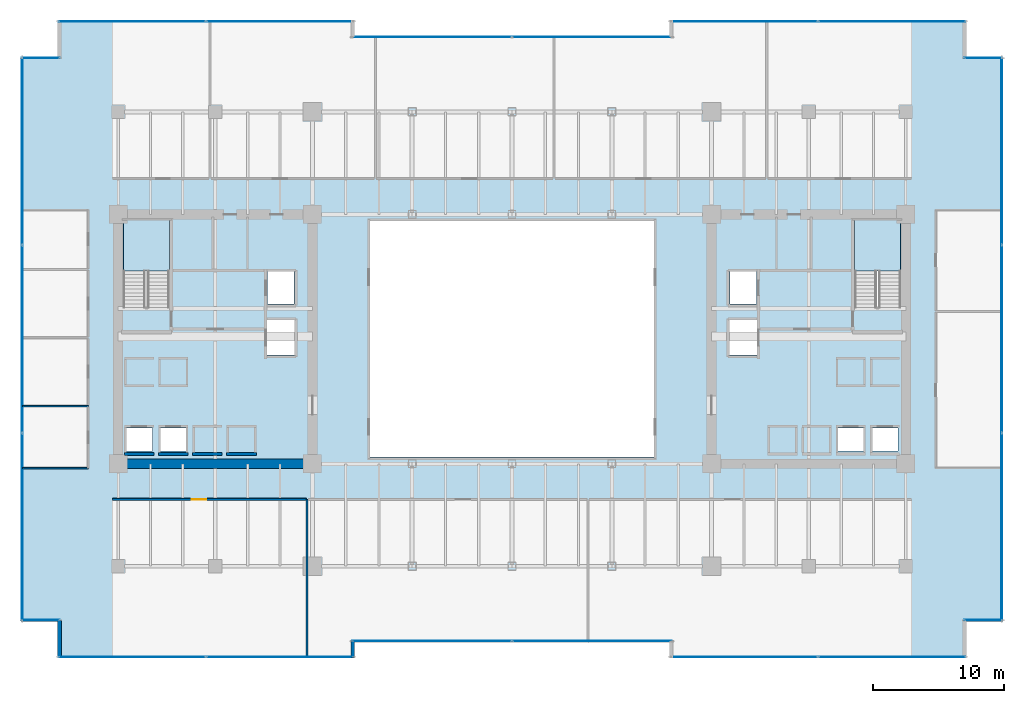
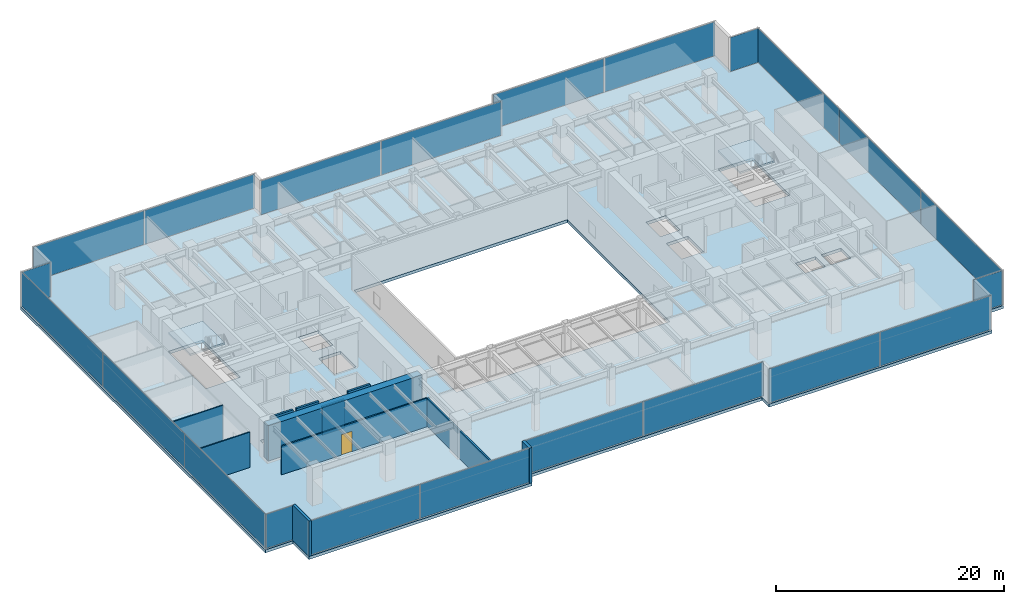
# One storey, part 28 of 36: 22 plates, 11 walls, 3 slabs, 1 door, 1 opening, 14 elements without a shape of their own.
"""IFC4 building model written with IfcOpenShell, lengths in metres."""

from ifc_helpers import new_model, si_unit, direction, frame, frame_2d, origin, origin_2d, place, context, subcontext, project, spatial, polyline, rectangle, outline, extrude, source, transform, mapped, material, layer, layer_set, type_object, type_shapes, element, fill, aggregate, save


model = new_model("IFC4")

# Units and contexts
model_context = context("Model", 3, precision=1e-05, world=origin(), true_north=direction((0.0, 1.0)))
body_context = subcontext(model_context, "Body", "Model", "MODEL_VIEW")
ifc_project = project(units=[si_unit("LENGTHUNIT", "METRE"), si_unit("AREAUNIT", "SQUARE_METRE"), si_unit("VOLUMEUNIT", "CUBIC_METRE"), si_unit("PLANEANGLEUNIT", "RADIAN"), si_unit("MASSUNIT", "GRAM", prefix="KILO")], contexts=[model_context])

# Site, building, storey
site_placement = place(None, origin())
site = spatial("IfcSite", under=ifc_project, at=site_placement, CompositionType="ELEMENT")
building_placement = place(site_placement, origin())
building = spatial("IfcBuilding", under=site, at=building_placement, Name="Haelvirn Gate Laboratories", CompositionType="ELEMENT")
storey_placement = place(building_placement, frame((0.0, 0.0, 53.89990234375)))
storey = spatial("IfcBuildingStorey", under=building, at=storey_placement, Name="L13", CompositionType="ELEMENT", Elevation=53.89990234375)

# Stair, slab
ifc_material_1 = material(Name="Concrete C40/50", Category="concrete")
stair_type = type_object("IfcStairType", Name="ST-DOG-1650-R22", PredefinedType="HALF_TURN_STAIR", material=ifc_material_1)
stair_1_placement = place(storey_placement, origin())
stair_1 = element("IfcStair", 1, at=stair_1_placement, inside=storey, type_object=stair_type, Name="L13 Escape Stair ST1", PredefinedType="HALF_TURN_STAIR")
ifc_layer_1 = layer(ifc_material_1, 0.199951171875, Name="SL-STAIR-LND")
ifc_layer_set_1 = layer_set([ifc_layer_1], Name="Concrete C40/50")
slab_type_1 = type_object("IfcSlabType", Name="SL-STAIR-LND", PredefinedType="LANDING", material=ifc_layer_set_1)
slab_1_placement = place(storey_placement, frame((0.0, 0.0, 1.85009765625)))
slab_1 = element("IfcSlab", 2, at=slab_1_placement, type_object=slab_type_1, Name="ST1 landing 1", PredefinedType="LANDING", context=body_context, shape_type="SweptSolid", body=[
    extrude(outline(polyline([(11.300048828125, 29.5), (11.300048828125, 33.35009765625), (7.800048828125, 33.35009765625), (7.800048828125, 29.5), (11.300048828125, 29.5)])), origin(), (0.0, 0.0, 1.0), 0.199951171875),
])
aggregate(stair_1, [slab_1])

stair_2_placement = place(storey_placement, origin())
stair_2 = element("IfcStair", 3, at=stair_2_placement, inside=storey, type_object=stair_type, Name="L13 Escape Stair ST2", PredefinedType="HALF_TURN_STAIR")
slab_2_placement = place(storey_placement, frame((0.0, 0.0, 1.85009765625)))
slab_2 = element("IfcSlab", 4, at=slab_2_placement, type_object=slab_type_1, Name="ST2 landing 1", PredefinedType="LANDING", context=body_context, shape_type="SweptSolid", body=[
    extrude(outline(polyline([(67.0, 29.5), (67.0, 33.35009765625), (63.5, 33.35009765625), (63.5, 29.5), (67.0, 29.5)])), origin(), (0.0, 0.0, 1.0), 0.199951171875),
])
aggregate(stair_2, [slab_2])

# Slab
ifc_material_2 = material(Name="Concrete C50/60", Category="concrete")
ifc_layer_2 = layer(ifc_material_2, 0.320068359375, Name="SL-Z1-320")
ifc_layer_set_2 = layer_set([ifc_layer_2], Name="Concrete C50/60")
slab_type_2 = type_object("IfcSlabType", Name="SL-Z1-320", PredefinedType="FLOOR", material=ifc_layer_set_2)
slab_3_placement = place(storey_placement, frame((0.0, 0.0, -0.31982421875)))
element("IfcSlab", 5, at=slab_3_placement, inside=storey, type_object=slab_type_2, Name="L13 Structural Slab MAIN", PredefinedType="FLOOR", context=body_context, shape_type="SweptSolid", body=[
    extrude(outline(polyline([(2.800048828125, 0.0), (25.39990234375, 0.0), (25.39990234375, 1.199951171875), (49.39990234375, 1.199951171875), (49.39990234375, 0.0), (72.0, 0.0), (72.0, 2.800048828125), (74.800048828125, 2.800048828125), (74.800048828125, 45.800048828125), (72.0, 45.800048828125), (72.0, 48.60009765625), (49.39990234375, 48.60009765625), (49.39990234375, 47.39990234375), (25.39990234375, 47.39990234375), (25.39990234375, 48.60009765625), (2.800048828125, 48.60009765625), (2.800048828125, 45.800048828125), (0.0, 45.800048828125), (0.0, 2.800048828125), (2.800048828125, 2.800048828125), (2.800048828125, 0.0)]), holes=[polyline([(26.60009765625, 15.300048828125), (48.199951171875, 15.300048828125), (48.199951171875, 33.300048828125), (26.60009765625, 33.300048828125), (26.60009765625, 15.300048828125)]), polyline([(11.300048828125, 26.780029296875), (11.300048828125, 33.35009765625), (7.800048828125, 33.35009765625), (7.800048828125, 26.780029296875), (11.300048828125, 26.780029296875)]), polyline([(67.0, 26.780029296875), (67.0, 33.35009765625), (63.5, 33.35009765625), (63.5, 26.780029296875), (67.0, 26.780029296875)]), polyline([(7.989990234375, 15.77001953125), (10.010009765625, 15.77001953125), (10.010009765625, 17.510009765625), (7.989990234375, 17.510009765625), (7.989990234375, 15.77001953125)]), polyline([(10.590087890625, 15.77001953125), (12.610107421875, 15.77001953125), (12.610107421875, 17.510009765625), (10.590087890625, 17.510009765625), (10.590087890625, 15.77001953125)]), polyline([(18.7900390625, 26.969970703125), (20.81005859375, 26.969970703125), (20.81005859375, 29.510009765625), (18.7900390625, 29.510009765625), (18.7900390625, 26.969970703125)]), polyline([(18.68994140625, 23.070068359375), (20.909912109375, 23.070068359375), (20.909912109375, 25.81005859375), (18.68994140625, 25.81005859375), (18.68994140625, 23.070068359375)]), polyline([(64.7900390625, 15.77001953125), (66.81005859375, 15.77001953125), (66.81005859375, 17.510009765625), (64.7900390625, 17.510009765625), (64.7900390625, 15.77001953125)]), polyline([(62.18994140625, 15.77001953125), (64.2099609375, 15.77001953125), (64.2099609375, 17.510009765625), (62.18994140625, 17.510009765625), (62.18994140625, 15.77001953125)]), polyline([(53.989990234375, 26.969970703125), (56.010009765625, 26.969970703125), (56.010009765625, 29.510009765625), (53.989990234375, 29.510009765625), (53.989990234375, 26.969970703125)]), polyline([(53.889892578125, 23.070068359375), (56.110107421875, 23.070068359375), (56.110107421875, 25.81005859375), (53.889892578125, 25.81005859375), (53.889892578125, 23.070068359375)])]), origin(), (0.0, 0.0, 1.0), 0.31982421875),
])

# Curtain wall, plates
ifc_material_3 = material(Name="Anodised bronze unitised aluminium & triple low-E glass", Category="aluminium")
ifc_layer_3 = layer(ifc_material_3, 0.18408203125, Name="CW-SYS-2")
ifc_layer_set_3 = layer_set([ifc_layer_3], Name="Anodised bronze unitised aluminium & triple low-E glass")
curtain_wall_type_1 = type_object("IfcCurtainWallType", Name="CW-SYS-2", PredefinedType="NOTDEFINED", material=ifc_layer_set_3)
curtain_wall_1_placement = place(storey_placement, origin())
curtain_wall_1 = element("IfcCurtainWall", 6, at=curtain_wall_1_placement, inside=storey, type_object=curtain_wall_type_1, Name="L13 Unitised Curtain Wall CW-L13-P0-E02-1", PredefinedType="NOTDEFINED")
ifc_material_4 = material(Name="Bronze solar-control triple low-E IGU 44 mm", Category="glass")
ifc_layer_4 = layer(ifc_material_4, 0.0439453125, Name="CWP-IGU-44")
ifc_layer_set_4 = layer_set([ifc_layer_4], Name="Bronze solar-control triple low-E IGU 44 mm")
plate_type_1 = type_object("IfcPlateType", Name="CWP-IGU-44", PredefinedType="CURTAIN_PANEL", material=ifc_layer_set_4)
shared_shape_1 = source(origin(), body_context, "Body", "SweptSolid", [
    extrude(rectangle(XDim=12.12744140625, YDim=0.0439453125, at=origin_2d()), origin(), (0.0, 0.0, 1.0), 3.639892578125),
])
plate_1_placement = place(storey_placement, frame((31.298828125, 1.300048828125, 0.0703125), z_axis=(0.0, 0.0, 1.0), x_axis=(1.0, 0.0, 0.0)))
plate_1 = element("IfcPlate", 7, at=plate_1_placement, type_object=plate_type_1, Name="CW2 panel 1.1", PredefinedType="CURTAIN_PANEL", context=body_context, shape_type="MappedRepresentation", body=[
    mapped(shared_shape_1, transform((0.0, 0.0, 0.0), scale=1.0)),
])
plate_2_placement = place(storey_placement, frame((43.501220703125, 1.300048828125, 0.0703125), z_axis=(0.0, 0.0, 1.0), x_axis=(1.0, 0.0, 0.0)))
plate_2 = element("IfcPlate", 8, at=plate_2_placement, type_object=plate_type_1, Name="CW2 panel 2.1", PredefinedType="CURTAIN_PANEL", context=body_context, shape_type="MappedRepresentation", body=[
    mapped(shared_shape_1, transform((0.0, 0.0, 0.0), scale=1.0)),
])
aggregate(curtain_wall_1, [plate_1, plate_2])

curtain_wall_2_placement = place(storey_placement, origin())
curtain_wall_2 = element("IfcCurtainWall", 9, at=curtain_wall_2_placement, inside=storey, type_object=curtain_wall_type_1, Name="L13 Unitised Curtain Wall CW-L13-P0-E12-1", PredefinedType="NOTDEFINED")
plate_3_placement = place(storey_placement, frame((31.298828125, 47.300048828125, 0.0703125), z_axis=(0.0, 0.0, 1.0), x_axis=(1.0, 0.0, 0.0)))
plate_3 = element("IfcPlate", 10, at=plate_3_placement, type_object=plate_type_1, Name="CW2 panel 1.1", PredefinedType="CURTAIN_PANEL", context=body_context, shape_type="MappedRepresentation", body=[
    mapped(shared_shape_1, transform((0.0, 0.0, 0.0), scale=1.0)),
])
plate_4_placement = place(storey_placement, frame((43.501220703125, 47.300048828125, 0.0703125), z_axis=(0.0, 0.0, 1.0), x_axis=(1.0, 0.0, 0.0)))
plate_4 = element("IfcPlate", 11, at=plate_4_placement, type_object=plate_type_1, Name="CW2 panel 2.1", PredefinedType="CURTAIN_PANEL", context=body_context, shape_type="MappedRepresentation", body=[
    mapped(shared_shape_1, transform((0.0, 0.0, 0.0), scale=1.0)),
])
aggregate(curtain_wall_2, [plate_3, plate_4])

curtain_wall_3_placement = place(storey_placement, origin())
curtain_wall_3 = element("IfcCurtainWall", 12, at=curtain_wall_3_placement, inside=storey, type_object=curtain_wall_type_1, Name="L13 Unitised Curtain Wall CW-L13-P0-E00-1", PredefinedType="NOTDEFINED")
shared_shape_2 = source(origin(), body_context, "Body", "SweptSolid", [
    extrude(rectangle(XDim=11.1875, YDim=0.0439453125, at=origin_2d()), origin(), (0.0, 0.0, 1.0), 3.639892578125),
])
plate_5_placement = place(storey_placement, frame((8.46875, 0.10009765625, 0.0703125), z_axis=(0.0, 0.0, 1.0), x_axis=(1.0, 0.0, 0.0)))
plate_5 = element("IfcPlate", 13, at=plate_5_placement, type_object=plate_type_1, Name="CW2 panel 1.1", PredefinedType="CURTAIN_PANEL", context=body_context, shape_type="MappedRepresentation", body=[
    mapped(shared_shape_2, transform((0.0, 0.0, 0.0), scale=1.0)),
])
plate_6_placement = place(storey_placement, frame((19.731201171875, 0.10009765625, 0.0703125), z_axis=(0.0, 0.0, 1.0), x_axis=(1.0, 0.0, 0.0)))
plate_6 = element("IfcPlate", 14, at=plate_6_placement, type_object=plate_type_1, Name="CW2 panel 2.1", PredefinedType="CURTAIN_PANEL", context=body_context, shape_type="MappedRepresentation", body=[
    mapped(shared_shape_2, transform((0.0, 0.0, 0.0), scale=1.0)),
])
aggregate(curtain_wall_3, [plate_5, plate_6])

curtain_wall_4_placement = place(storey_placement, origin())
curtain_wall_4 = element("IfcCurtainWall", 15, at=curtain_wall_4_placement, inside=storey, type_object=curtain_wall_type_1, Name="L13 Unitised Curtain Wall CW-L13-P0-E04-1", PredefinedType="NOTDEFINED")
plate_7_placement = place(storey_placement, frame((55.06884765625, 0.10009765625, 0.0703125), z_axis=(0.0, 0.0, 1.0), x_axis=(1.0, 0.0, 0.0)))
plate_7 = element("IfcPlate", 16, at=plate_7_placement, type_object=plate_type_1, Name="CW2 panel 1.1", PredefinedType="CURTAIN_PANEL", context=body_context, shape_type="MappedRepresentation", body=[
    mapped(shared_shape_2, transform((0.0, 0.0, 0.0), scale=1.0)),
])
plate_8_placement = place(storey_placement, frame((66.331298828125, 0.10009765625, 0.0703125), z_axis=(0.0, 0.0, 1.0), x_axis=(1.0, 0.0, 0.0)))
plate_8 = element("IfcPlate", 17, at=plate_8_placement, type_object=plate_type_1, Name="CW2 panel 2.1", PredefinedType="CURTAIN_PANEL", context=body_context, shape_type="MappedRepresentation", body=[
    mapped(shared_shape_2, transform((0.0, 0.0, 0.0), scale=1.0)),
])
aggregate(curtain_wall_4, [plate_7, plate_8])

curtain_wall_5_placement = place(storey_placement, origin())
curtain_wall_5 = element("IfcCurtainWall", 18, at=curtain_wall_5_placement, inside=storey, type_object=curtain_wall_type_1, Name="L13 Unitised Curtain Wall CW-L13-P0-E10-1", PredefinedType="NOTDEFINED")
plate_9_placement = place(storey_placement, frame((55.06884765625, 48.5, 0.0703125), z_axis=(0.0, 0.0, 1.0), x_axis=(1.0, 0.0, 0.0)))
plate_9 = element("IfcPlate", 19, at=plate_9_placement, type_object=plate_type_1, Name="CW2 panel 1.1", PredefinedType="CURTAIN_PANEL", context=body_context, shape_type="MappedRepresentation", body=[
    mapped(shared_shape_2, transform((0.0, 0.0, 0.0), scale=1.0)),
])
plate_10_placement = place(storey_placement, frame((66.331298828125, 48.5, 0.0703125), z_axis=(0.0, 0.0, 1.0), x_axis=(1.0, 0.0, 0.0)))
plate_10 = element("IfcPlate", 20, at=plate_10_placement, type_object=plate_type_1, Name="CW2 panel 2.1", PredefinedType="CURTAIN_PANEL", context=body_context, shape_type="MappedRepresentation", body=[
    mapped(shared_shape_2, transform((0.0, 0.0, 0.0), scale=1.0)),
])
aggregate(curtain_wall_5, [plate_9, plate_10])

curtain_wall_6_placement = place(storey_placement, origin())
curtain_wall_6 = element("IfcCurtainWall", 21, at=curtain_wall_6_placement, inside=storey, type_object=curtain_wall_type_1, Name="L13 Unitised Curtain Wall CW-L13-P0-E14-1", PredefinedType="NOTDEFINED")
plate_11_placement = place(storey_placement, frame((8.46875, 48.5, 0.0703125), z_axis=(0.0, 0.0, 1.0), x_axis=(1.0, 0.0, 0.0)))
plate_11 = element("IfcPlate", 22, at=plate_11_placement, type_object=plate_type_1, Name="CW2 panel 1.1", PredefinedType="CURTAIN_PANEL", context=body_context, shape_type="MappedRepresentation", body=[
    mapped(shared_shape_2, transform((0.0, 0.0, 0.0), scale=1.0)),
])
plate_12_placement = place(storey_placement, frame((19.731201171875, 48.5, 0.0703125), z_axis=(0.0, 0.0, 1.0), x_axis=(1.0, 0.0, 0.0)))
plate_12 = element("IfcPlate", 23, at=plate_12_placement, type_object=plate_type_1, Name="CW2 panel 2.1", PredefinedType="CURTAIN_PANEL", context=body_context, shape_type="MappedRepresentation", body=[
    mapped(shared_shape_2, transform((0.0, 0.0, 0.0), scale=1.0)),
])
aggregate(curtain_wall_6, [plate_11, plate_12])

# Curtain wall, plate
ifc_layer_5 = layer(ifc_material_3, 0.181884765625, Name="CW-SYS-5")
ifc_layer_set_5 = layer_set([ifc_layer_5], Name="Anodised bronze unitised aluminium & triple low-E glass")
curtain_wall_type_2 = type_object("IfcCurtainWallType", Name="CW-SYS-5", PredefinedType="NOTDEFINED", material=ifc_layer_set_5)
curtain_wall_7_placement = place(storey_placement, origin())
curtain_wall_7 = element("IfcCurtainWall", 24, at=curtain_wall_7_placement, inside=storey, type_object=curtain_wall_type_2, Name="L13 Unitised Curtain Wall CW-L13-P0-E06-1", PredefinedType="NOTDEFINED")
ifc_material_5 = material(Name="Clear low-iron notched-corner triple IGU 42 mm", Category="glass")
ifc_layer_6 = layer(ifc_material_5, 0.0419921875, Name="CWP-NTC-42")
ifc_layer_set_6 = layer_set([ifc_layer_6], Name="Clear low-iron notched-corner triple IGU 42 mm")
plate_type_2 = type_object("IfcPlateType", Name="CWP-NTC-42", PredefinedType="CURTAIN_PANEL", material=ifc_layer_set_6)
shared_shape_3 = source(origin(), body_context, "Body", "SweptSolid", [
    extrude(rectangle(XDim=2.8798828125, YDim=0.0419921875, at=origin_2d()), origin(), (0.0, 0.0, 1.0), 3.64990234375),
])
type_shapes(plate_type_2, [shared_shape_3])
plate_13_placement = place(storey_placement, frame((73.280029296875, 2.89990234375, 0.065185546875), z_axis=(0.0, 0.0, 1.0), x_axis=(1.0, 0.0, 0.0)))
plate_13 = element("IfcPlate", 25, at=plate_13_placement, type_object=plate_type_2, Name="CW5 panel 1.1", PredefinedType="CURTAIN_PANEL", context=body_context, shape_type="MappedRepresentation", body=[
    mapped(shared_shape_3, transform((0.0, 0.0, 0.0), scale=1.0)),
])
aggregate(curtain_wall_7, [plate_13])

curtain_wall_8_placement = place(storey_placement, origin())
curtain_wall_8 = element("IfcCurtainWall", 26, at=curtain_wall_8_placement, inside=storey, type_object=curtain_wall_type_2, Name="L13 Unitised Curtain Wall CW-L13-P0-E08-1", PredefinedType="NOTDEFINED")
plate_14_placement = place(storey_placement, frame((73.280029296875, 45.699951171875, 0.065185546875), z_axis=(0.0, 0.0, 1.0), x_axis=(1.0, 0.0, 0.0)))
plate_14 = element("IfcPlate", 27, at=plate_14_placement, type_object=plate_type_2, Name="CW5 panel 1.1", PredefinedType="CURTAIN_PANEL", context=body_context, shape_type="MappedRepresentation", body=[
    mapped(shared_shape_3, transform((0.0, 0.0, 0.0), scale=1.0)),
])
aggregate(curtain_wall_8, [plate_14])

curtain_wall_9_placement = place(storey_placement, origin())
curtain_wall_9 = element("IfcCurtainWall", 28, at=curtain_wall_9_placement, inside=storey, type_object=curtain_wall_type_2, Name="L13 Unitised Curtain Wall CW-L13-P0-E16-1", PredefinedType="NOTDEFINED")
plate_15_placement = place(storey_placement, frame((1.52001953125, 45.699951171875, 0.065185546875), z_axis=(0.0, 0.0, 1.0), x_axis=(1.0, 0.0, 0.0)))
plate_15 = element("IfcPlate", 29, at=plate_15_placement, type_object=plate_type_2, Name="CW5 panel 1.1", PredefinedType="CURTAIN_PANEL", context=body_context, shape_type="MappedRepresentation", body=[
    mapped(shared_shape_3, transform((0.0, 0.0, 0.0), scale=1.0)),
])
aggregate(curtain_wall_9, [plate_15])

curtain_wall_10_placement = place(storey_placement, origin())
curtain_wall_10 = element("IfcCurtainWall", 30, at=curtain_wall_10_placement, inside=storey, type_object=curtain_wall_type_2, Name="L13 Unitised Curtain Wall CW-L13-P0-E18-1", PredefinedType="NOTDEFINED")
plate_16_placement = place(storey_placement, frame((1.52001953125, 2.89990234375, 0.065185546875), z_axis=(0.0, 0.0, 1.0), x_axis=(1.0, 0.0, 0.0)))
plate_16 = element("IfcPlate", 31, at=plate_16_placement, type_object=plate_type_2, Name="CW5 panel 1.1", PredefinedType="CURTAIN_PANEL", context=body_context, shape_type="MappedRepresentation", body=[
    mapped(shared_shape_3, transform((0.0, 0.0, 0.0), scale=1.0)),
])
aggregate(curtain_wall_10, [plate_16])

# Curtain wall, plates
curtain_wall_11_placement = place(storey_placement, origin())
curtain_wall_11 = element("IfcCurtainWall", 32, at=curtain_wall_11_placement, inside=storey, type_object=curtain_wall_type_1, Name="L13 Unitised Curtain Wall CW-L13-P0-E07", PredefinedType="NOTDEFINED")
shared_shape_4 = source(origin(), body_context, "Body", "SweptSolid", [
    extrude(rectangle(XDim=14.220947265625, YDim=0.0439453125, at=origin_2d()), origin(), (0.0, 0.0, 1.0), 3.639892578125),
])
plate_17_placement = place(storey_placement, frame((74.699951171875, 9.9853515625, 0.0703125), z_axis=(0.0, 0.0, 1.0), x_axis=(0.0, 1.0, 0.0)))
plate_17 = element("IfcPlate", 33, at=plate_17_placement, type_object=plate_type_1, Name="CW2 panel 1.1", PredefinedType="CURTAIN_PANEL", context=body_context, shape_type="MappedRepresentation", body=[
    mapped(shared_shape_4, transform((0.0, 0.0, 0.0), scale=1.0)),
])
plate_18_placement = place(storey_placement, frame((74.699951171875, 38.614501953125, 0.0703125), z_axis=(0.0, 0.0, 1.0), x_axis=(0.0, 1.0, 0.0)))
plate_18 = element("IfcPlate", 34, at=plate_18_placement, type_object=plate_type_1, Name="CW2 panel 3.1", PredefinedType="CURTAIN_PANEL", context=body_context, shape_type="MappedRepresentation", body=[
    mapped(shared_shape_4, transform((0.0, 0.0, 0.0), scale=1.0)),
])

curtain_wall_12_placement = place(storey_placement, origin())
curtain_wall_12 = element("IfcCurtainWall", 35, at=curtain_wall_12_placement, inside=storey, type_object=curtain_wall_type_1, Name="L13 Unitised Curtain Wall CW-L13-P0-E17", PredefinedType="NOTDEFINED")
plate_19_placement = place(storey_placement, frame((0.10009765625, 38.614501953125, 0.0703125), z_axis=(0.0, 0.0, 1.0), x_axis=(0.0, -1.0, 0.0)))
plate_19 = element("IfcPlate", 36, at=plate_19_placement, type_object=plate_type_1, Name="CW2 panel 1.1", PredefinedType="CURTAIN_PANEL", context=body_context, shape_type="MappedRepresentation", body=[
    mapped(shared_shape_4, transform((0.0, 0.0, 0.0), scale=1.0)),
])
plate_20_placement = place(storey_placement, frame((0.10009765625, 9.9853515625, 0.0703125), z_axis=(0.0, 0.0, 1.0), x_axis=(0.0, -1.0, 0.0)))
plate_20 = element("IfcPlate", 37, at=plate_20_placement, type_object=plate_type_1, Name="CW2 panel 3.1", PredefinedType="CURTAIN_PANEL", context=body_context, shape_type="MappedRepresentation", body=[
    mapped(shared_shape_4, transform((0.0, 0.0, 0.0), scale=1.0)),
])

# Plate
shared_shape_5 = source(origin(), body_context, "Body", "SweptSolid", [
    extrude(rectangle(XDim=14.25830078125, YDim=0.0439453125, at=origin_2d()), origin(), (0.0, 0.0, 1.0), 3.639892578125),
])
type_shapes(plate_type_1, [shared_shape_1, shared_shape_2, shared_shape_4, shared_shape_5])
plate_21_placement = place(storey_placement, frame((74.699951171875, 24.300048828125, 0.0703125), z_axis=(0.0, 0.0, 1.0), x_axis=(0.0, 1.0, 0.0)))
plate_21 = element("IfcPlate", 38, at=plate_21_placement, type_object=plate_type_1, Name="CW2 panel 2.1", PredefinedType="CURTAIN_PANEL", context=body_context, shape_type="MappedRepresentation", body=[
    mapped(shared_shape_5, transform((0.0, 0.0, 0.0), scale=1.0)),
])

aggregate(curtain_wall_11, [plate_17, plate_21, plate_18])

plate_22_placement = place(storey_placement, frame((0.10009765625, 24.300048828125, 0.0703125), z_axis=(0.0, 0.0, 1.0), x_axis=(0.0, -1.0, 0.0)))
plate_22 = element("IfcPlate", 39, at=plate_22_placement, type_object=plate_type_1, Name="CW2 panel 2.1", PredefinedType="CURTAIN_PANEL", context=body_context, shape_type="MappedRepresentation", body=[
    mapped(shared_shape_5, transform((0.0, 0.0, 0.0), scale=1.0)),
])

aggregate(curtain_wall_12, [plate_19, plate_22, plate_20])

# Walls
ifc_material_6 = material(Name="Thermally-broken bronze aluminium rainscreen & mineral wool", Category="aluminium")
ifc_layer_7 = layer(ifc_material_6, 0.280029296875, Name="EW-TERR-280")
ifc_layer_set_7 = layer_set([ifc_layer_7], Name="Thermally-broken bronze aluminium rainscreen & mineral wool")
wall_type_1 = type_object("IfcWallType", Name="EW-TERR-280", PredefinedType="STANDARD", material=ifc_layer_set_7)
wall_1_placement = place(storey_placement, frame((25.260009765625, 0.0, 0.0), z_axis=(0.0, 0.0, 1.0), x_axis=(0.0, 1.0, 0.0)))
element("IfcWall", 40, at=wall_1_placement, inside=storey, type_object=wall_type_1, Name="L13 Atrium Recess Bronze Return Wall 01", PredefinedType="STANDARD", context=body_context, shape_type="SweptSolid", body=[
    extrude(rectangle(XDim=1.2880859375, YDim=0.280029296875, at=frame_2d((0.64404296875, 0.0))), origin(), (0.0, 0.0, 1.0), 3.780029296875),
])
wall_2_placement = place(storey_placement, frame((2.93994140625, 2.887939453125, 0.0), z_axis=(0.0, 0.0, 1.0), x_axis=(0.0, -1.0, 0.0)))
element("IfcWall", 41, at=wall_2_placement, inside=storey, type_object=wall_type_1, Name="L13 Atrium Recess Bronze Return Wall 19", PredefinedType="STANDARD", context=body_context, shape_type="SweptSolid", body=[
    extrude(rectangle(XDim=2.887939453125, YDim=0.280029296875, at=frame_2d((1.44384765625, 0.0))), origin(), (0.0, 0.0, 1.0), 3.780029296875),
])
ifc_material_7 = material(Name="Double-layer acoustic gypsum laboratory partition", Category="gypsum")
ifc_layer_8 = layer(ifc_material_7, 0.159912109375, Name="IW-ACOUST-160")
ifc_layer_set_8 = layer_set([ifc_layer_8], Name="Double-layer acoustic gypsum laboratory partition")
wall_type_2 = type_object("IfcWallType", Name="IW-ACOUST-160", PredefinedType="PARTITIONING", material=ifc_layer_set_8)
wall_3_placement = place(storey_placement, frame((21.800048828125, 0.110107421875, 0.0), z_axis=(0.0, 0.0, 1.0), x_axis=(0.0, 1.0, 0.0)))
element("IfcWall", 42, at=wall_3_placement, inside=storey, type_object=wall_type_2, Name="L13 Interior Wall IW-L13-SDIV-01", PredefinedType="PARTITIONING", context=body_context, shape_type="SweptSolid", body=[
    extrude(rectangle(XDim=11.97998046875, YDim=0.159912109375, at=frame_2d((5.989990234375, 0.0))), origin(), (0.0, 0.0, 1.0), 3.01513671875),
])
ifc_material_8 = material(Name="Lightweight acoustic gypsum board partition", Category="gypsum")
ifc_layer_9 = layer(ifc_material_8, 0.1201171875, Name="IW-PART-120")
ifc_layer_set_9 = layer_set([ifc_layer_9], Name="Lightweight acoustic gypsum board partition")
wall_type_3 = type_object("IfcWallType", Name="IW-PART-120", PredefinedType="PARTITIONING", material=ifc_layer_set_9)
for number, where, z_axis, x_axis, name in (
    (43, (0.110107421875, 14.465087890625, 0.0), (0.0, 0.0, 1.0), (1.0, 0.0, 0.0), "L13 Interior Wall IW-L13-WCAP-S"),
    (44, (0.110107421875, 19.199951171875, 0.0), (0.0, 0.0, 1.0), (1.0, 0.0, 0.0), "L13 Interior Wall IW-L13-WDIV-01"),
):
    element("IfcWall", number, at=place(storey_placement, frame(where, z_axis=z_axis, x_axis=x_axis)), inside=storey, type_object=wall_type_3, Name=name, PredefinedType="PARTITIONING", context=body_context, shape_type="SweptSolid", body=[
        extrude(rectangle(XDim=5.019775390625, YDim=0.1201171875, at=frame_2d((2.509765625, 0.0))), origin(), (0.0, 0.0, 1.0), 3.780029296875),
    ])

# Wall, opening, door
ifc_material_9 = material(Name="Acoustic mineral-wool gypsum board partition", Category="gypsum")
ifc_layer_10 = layer(ifc_material_9, 0.139892578125, Name="IW-PART-140")
ifc_layer_set_10 = layer_set([ifc_layer_10], Name="Acoustic mineral-wool gypsum board partition")
wall_type_4 = type_object("IfcWallType", Name="IW-PART-140", PredefinedType="PARTITIONING", material=ifc_layer_set_10)
wall_4_placement = place(storey_placement, frame((6.97998046875, 12.090087890625, 0.0), z_axis=(0.0, 0.0, 1.0), x_axis=(1.0, 0.0, 0.0)))
wall_4 = element("IfcWall", 45, at=wall_4_placement, inside=storey, type_object=wall_type_4, Name="L13 Interior Wall IW-L13-SCORR-01", PredefinedType="PARTITIONING", context=body_context, shape_type="SweptSolid", body=[
    extrude(rectangle(XDim=14.739990234375, YDim=0.139892578125, at=frame_2d((7.3701171875, 0.0))), origin(), (0.0, 0.0, 1.0), 3.065185546875),
])
opening_placement = place(wall_4_placement, frame((6.043701171875, 0.0, 0.0)))
opening = element("IfcOpeningElement", 46, at=opening_placement, cuts=wall_4, Name="Opening D1", PredefinedType="OPENING", context=body_context, shape_type="SweptSolid", body=[
    extrude(rectangle(XDim=1.10009765625, YDim=2.179931640625, at=frame_2d((0.550048828125, 1.08984375))), frame((0.0, 0.080078125, 0.0), z_axis=(0.0, -1.0, 0.0), x_axis=(1.0, 0.0, 0.0)), (0.0, 0.0, 1.0), 0.159912109375),
])
ifc_material_10 = material(Name="Vision-panel acoustic solid-core timber lab door", Category="wood")
door_type = type_object("IfcDoorType", Name="DR-LAB-1100", OperationType="NOTDEFINED", PredefinedType="DOOR", material=ifc_material_10)
shared_shape_6 = source(origin(), body_context, "Body", "SweptSolid", [
    extrude(rectangle(XDim=1.10009765625, YDim=2.179931640625, at=frame_2d((0.550048828125, 1.08984375))), frame((0.0, 0.02490234375, 0.0), z_axis=(0.0, -1.0, 0.0), x_axis=(1.0, 0.0, 0.0)), (0.0, 0.0, 1.0), 0.050048828125),
])
type_shapes(door_type, [shared_shape_6])
door_placement = place(opening_placement, origin())
door = element("IfcDoor", 47, at=door_placement, inside=storey, type_object=door_type, Name="L13 Peer-Review Seminar Room Door S1", OperationType="SINGLE_SWING_RIGHT", OverallHeight=2.179931640625, OverallWidth=1.10009765625, PredefinedType="DOOR", context=body_context, shape_type="MappedRepresentation", body=[
    mapped(shared_shape_6, transform((0.0, 0.0, 0.0), scale=1.0)),
])
fill(opening, door)

# Walls
ifc_layer_11 = layer(ifc_material_1, 0.199951171875, Name="IW-SHAFT-200")
ifc_layer_set_11 = layer_set([ifc_layer_11], Name="Concrete C40/50")
wall_type_5 = type_object("IfcWallType", Name="IW-SHAFT-200", PredefinedType="SOLIDWALL", material=ifc_layer_set_11)
wall_5_placement = place(storey_placement, frame((7.8701171875, 15.550048828125, 0.0), z_axis=(0.0, 0.0, 1.0), x_axis=(1.0, 0.0, 0.0)))
element("IfcWall", 48, at=wall_5_placement, inside=storey, type_object=wall_type_5, Name="L13 Interior Wall IW-L13-PL1-BK", PredefinedType="SOLIDWALL", context=body_context, shape_type="SweptSolid", body=[
    extrude(rectangle(XDim=2.259765625, YDim=0.199951171875, at=frame_2d((1.1298828125, 0.0))), origin(), (0.0, 0.0, 1.0), 3.780029296875),
])
wall_6_placement = place(storey_placement, frame((10.469970703125, 15.550048828125, 0.0), z_axis=(0.0, 0.0, 1.0), x_axis=(1.0, 0.0, 0.0)))
element("IfcWall", 49, at=wall_6_placement, inside=storey, type_object=wall_type_5, Name="L13 Interior Wall IW-L13-PL2-BK", PredefinedType="SOLIDWALL", context=body_context, shape_type="SweptSolid", body=[
    extrude(rectangle(XDim=2.260009765625, YDim=0.199951171875, at=frame_2d((1.1298828125, 0.0))), origin(), (0.0, 0.0, 1.0), 3.780029296875),
])
wall_7_placement = place(storey_placement, frame((13.070068359375, 15.550048828125, 0.0), z_axis=(0.0, 0.0, 1.0), x_axis=(1.0, 0.0, 0.0)))
element("IfcWall", 50, at=wall_7_placement, inside=storey, type_object=wall_type_5, Name="L13 Interior Wall IW-L13-PL5-BK", PredefinedType="SOLIDWALL", context=body_context, shape_type="SweptSolid", body=[
    extrude(rectangle(XDim=2.260009765625, YDim=0.199951171875, at=frame_2d((1.1298828125, 0.0))), origin(), (0.0, 0.0, 1.0), 3.065185546875),
])
wall_8_placement = place(storey_placement, frame((15.669921875, 15.550048828125, 0.0), z_axis=(0.0, 0.0, 1.0), x_axis=(1.0, 0.0, 0.0)))
element("IfcWall", 51, at=wall_8_placement, inside=storey, type_object=wall_type_5, Name="L13 Interior Wall IW-L13-PL6-BK", PredefinedType="SOLIDWALL", context=body_context, shape_type="SweptSolid", body=[
    extrude(rectangle(XDim=2.260009765625, YDim=0.199951171875, at=frame_2d((1.1298828125, 0.0))), origin(), (0.0, 0.0, 1.0), 3.780029296875),
])
ifc_material_11 = material(Name="Concrete C70/85", Category="concrete")
ifc_layer_12 = layer(ifc_material_11, 0.75, Name="SW-CORE-750")
ifc_layer_set_12 = layer_set([ifc_layer_12], Name="Concrete C70/85")
wall_type_6 = type_object("IfcWallType", Name="SW-CORE-750", PredefinedType="SHEAR", material=ifc_layer_set_12)
wall_9_placement = place(storey_placement, frame((7.02490234375, 14.800048828125, 0.0), z_axis=(0.0, 0.0, 1.0), x_axis=(1.0, 0.0, 0.0)))
element("IfcWall", 52, at=wall_9_placement, inside=storey, type_object=wall_type_6, Name="L13 W Core Shear Wall S", PredefinedType="SHEAR", context=body_context, shape_type="SweptSolid", body=[
    extrude(rectangle(XDim=15.550048828125, YDim=0.75, at=frame_2d((7.77490234375, 0.0))), origin(), (0.0, 0.0, 1.0), 3.780029296875),
])

save(model, "model.ifc")
